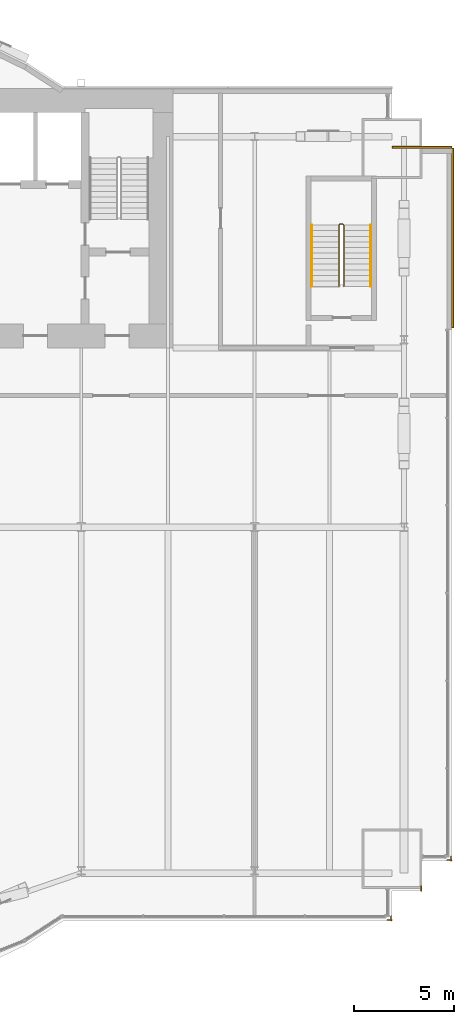
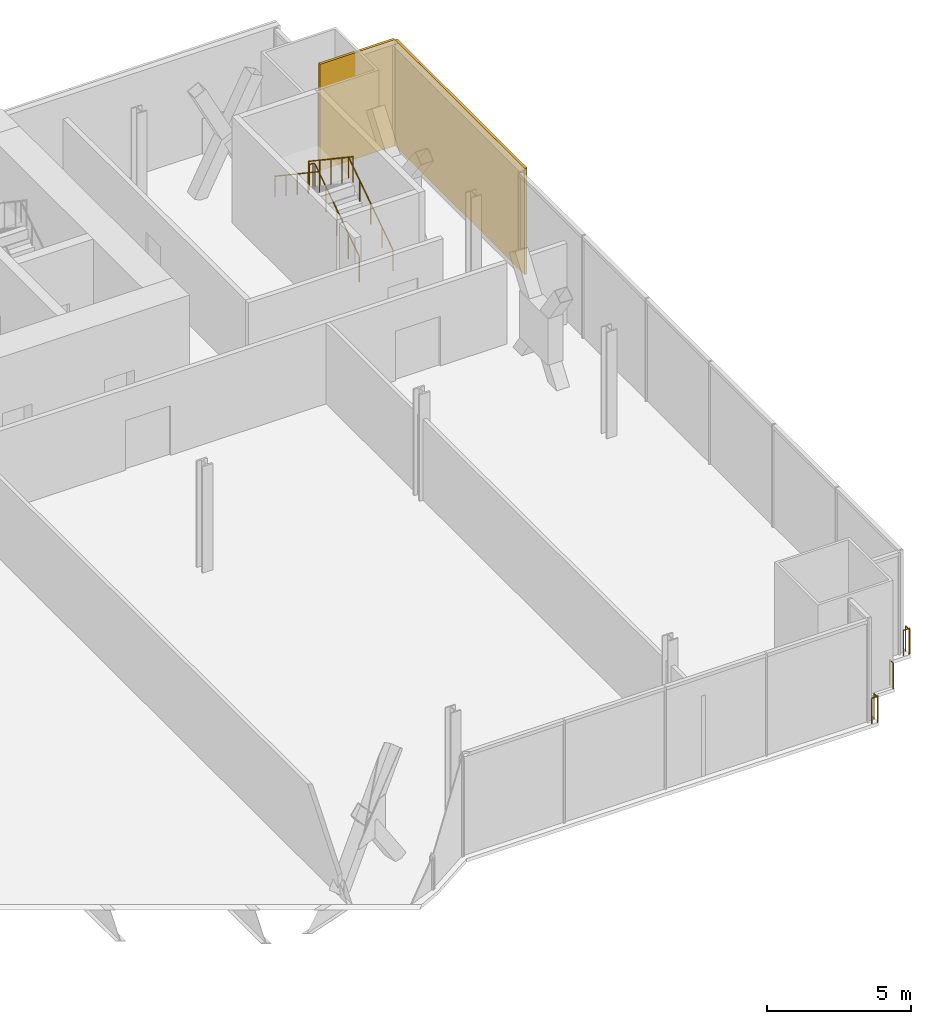
# One storey, part 21 of 22: 6 railings, 2 coverings.
"""IFC4 building model written with IfcOpenShell, lengths in metres."""

from ifc_helpers import new_model, si_unit, direction, frame, origin, origin_2d, place, context, subcontext, project, spatial, rectangle, circle, extrude, material, layer, layer_set, type_object, element, save


model = new_model("IFC4")

# Units and contexts
model_context = context("Model", 3, precision=1e-05, world=origin(), true_north=direction((0.0, 1.0)))
body_context = subcontext(model_context, "Body", "Model", "MODEL_VIEW")
ifc_project = project(units=[si_unit("LENGTHUNIT", "METRE"), si_unit("AREAUNIT", "SQUARE_METRE"), si_unit("VOLUMEUNIT", "CUBIC_METRE"), si_unit("PLANEANGLEUNIT", "RADIAN"), si_unit("MASSUNIT", "GRAM", prefix="KILO")], contexts=[model_context])

# Site, building, storey
site_placement = place(None, origin())
site = spatial("IfcSite", under=ifc_project, at=site_placement, CompositionType="ELEMENT")
building_placement = place(site_placement, origin())
building = spatial("IfcBuilding", under=site, at=building_placement, Name="Bicima Exchange Tower", CompositionType="ELEMENT")
storey_placement = place(building_placement, frame((0.0, 0.0, 39.5)))
storey = spatial("IfcBuildingStorey", under=building, at=storey_placement, Name="L07", CompositionType="ELEMENT", Elevation=39.5)

# Coverings
ifc_material_1 = material(Name="Bronze metal cladding")
ifc_layer_1 = layer(ifc_material_1, 0.004)
ifc_material_2 = material(Name="Ventilated cavity")
ifc_layer_2 = layer(ifc_material_2, 0.06)
ifc_material_3 = material(Name="Galvanised steel rail and mineral wool", Category="steel")
ifc_layer_3 = layer(ifc_material_3, 0.036)
ifc_layer_set = layer_set([ifc_layer_1, ifc_layer_2, ifc_layer_3], Name="Ventilated cavity")
covering_type = type_object("IfcCoveringType", Name="Bronze metal cladding panel 100", PredefinedType="CLADDING", material=ifc_layer_set)
covering_1_placement = place(storey_placement, frame((36.050048828125, -7.5, -0.14990234375), z_axis=(0.0, 0.0, 1.0), x_axis=(0.0, 1.0, 0.0)))
element("IfcCovering", 1, at=covering_1_placement, inside=storey, type_object=covering_type, Name="Bronze cladding L07 50.1", PredefinedType="CLADDING", context=body_context, shape_type="SweptSolid", body=[
    extrude(rectangle(XDim=9.0, YDim=0.10009765625, at=origin_2d()), origin(), (0.0, 0.0, 1.0), 4.5),
])
covering_2_placement = place(storey_placement, frame((34.5, -2.949951171875, -0.14990234375), z_axis=(0.0, 0.0, 1.0), x_axis=(-1.0, 0.0, 0.0)))
element("IfcCovering", 2, at=covering_2_placement, inside=storey, type_object=covering_type, Name="Bronze cladding L07 51.1", PredefinedType="CLADDING", context=body_context, shape_type="SweptSolid", body=[
    extrude(rectangle(XDim=3.0, YDim=0.10009765625, at=origin_2d()), origin(), (0.0, 0.0, 1.0), 4.5),
])

# Railings
ifc_material_4 = material(Name="Stainless steel and bonded safety glass", Category="steel")
railing_type_1 = type_object("IfcRailingType", Name="Edge guard 1100", PredefinedType="GUARDRAIL", material=ifc_material_4)
railing_1_placement = place(storey_placement, frame((35.949951171875, -38.508056640625, 0.0)))
element("IfcRailing", 3, at=railing_1_placement, inside=storey, type_object=railing_type_1, Name="Edge guard L07 22", PredefinedType="GUARDRAIL", context=body_context, shape_type="SweptSolid", body=[
    extrude(circle(Radius=0.02392578125, at=origin_2d()), frame((0.0, 0.0, 1.076171875), z_axis=(0.0, -1.0, 0.0), x_axis=(1.0, 0.0, 0.0)), (0.0, 0.0, 1.0), 0.248046875),
    extrude(circle(Radius=0.02392578125, at=origin_2d()), frame((0.0, -0.248046875, 1.076171875), z_axis=(0.707106781187, 0.707106781187, 0.0), x_axis=(-0.707106781187, 0.707106781187, 0.0)), (0.0, 0.0, 1.0), 0.07080078125),
    extrude(circle(Radius=0.02392578125, at=origin_2d()), frame((0.050048828125, -0.197998046875, 1.076171875), z_axis=(-1.0, 0.0, 0.0), x_axis=(0.0, -1.0, 0.0)), (0.0, 0.0, 1.0), 0.25),
    extrude(circle(Radius=0.02099609375, at=origin_2d()), origin(), (0.0, 0.0, 1.0), 1.052001953125),
    extrude(circle(Radius=0.02099609375, at=origin_2d()), frame((0.0, -0.248046875, 0.0)), (0.0, 0.0, 1.0), 1.052001953125),
    extrude(circle(Radius=0.02099609375, at=origin_2d()), frame((0.050048828125, -0.197998046875, 0.0)), (0.0, 0.0, 1.0), 1.052001953125),
    extrude(circle(Radius=0.02099609375, at=origin_2d()), frame((-0.199951171875, -0.197998046875, 0.0)), (0.0, 0.0, 1.0), 1.052001953125),
])
railing_2_placement = place(storey_placement, frame((34.449951171875, -40.006103515625, 0.0)))
element("IfcRailing", 4, at=railing_2_placement, inside=storey, type_object=railing_type_1, Name="Edge guard L07 23", PredefinedType="GUARDRAIL", context=body_context, shape_type="SweptSolid", body=[
    extrude(circle(Radius=0.02392578125, at=origin_2d()), frame((0.0, 0.0, 1.076171875), z_axis=(0.0, -1.0, 0.0), x_axis=(1.0, 0.0, 0.0)), (0.0, 0.0, 1.0), 0.25),
    extrude(circle(Radius=0.02099609375, at=origin_2d()), origin(), (0.0, 0.0, 1.0), 1.052001953125),
    extrude(circle(Radius=0.02099609375, at=origin_2d()), frame((0.0, -0.25, 0.0)), (0.0, 0.0, 1.0), 1.052001953125),
])
railing_3_placement = place(storey_placement, frame((32.949951171875, -41.506103515625, 0.0)))
element("IfcRailing", 5, at=railing_3_placement, inside=storey, type_object=railing_type_1, Name="Edge guard L07 24", PredefinedType="GUARDRAIL", context=body_context, shape_type="SweptSolid", body=[
    extrude(circle(Radius=0.02392578125, at=origin_2d()), frame((0.0, 0.0, 1.076171875), z_axis=(0.0, -1.0, 0.0), x_axis=(1.0, 0.0, 0.0)), (0.0, 0.0, 1.0), 0.25),
    extrude(circle(Radius=0.02392578125, at=origin_2d()), frame((0.0, -0.25, 1.076171875), z_axis=(0.707106781187, 0.707106781187, 0.0), x_axis=(-0.707106781187, 0.707106781187, 0.0)), (0.0, 0.0, 1.0), 0.07080078125),
    extrude(circle(Radius=0.02392578125, at=origin_2d()), frame((0.050048828125, -0.199951171875, 1.076171875), z_axis=(-1.0, 0.0, 0.0), x_axis=(0.0, -1.0, 0.0)), (0.0, 0.0, 1.0), 0.25),
    extrude(circle(Radius=0.02099609375, at=origin_2d()), origin(), (0.0, 0.0, 1.0), 1.052001953125),
    extrude(circle(Radius=0.02099609375, at=origin_2d()), frame((0.0, -0.25, 0.0)), (0.0, 0.0, 1.0), 1.052001953125),
    extrude(circle(Radius=0.02099609375, at=origin_2d()), frame((0.050048828125, -0.199951171875, 0.0)), (0.0, 0.0, 1.0), 1.052001953125),
    extrude(circle(Radius=0.02099609375, at=origin_2d()), frame((-0.199951171875, -0.199951171875, 0.0)), (0.0, 0.0, 1.0), 1.052001953125),
])
ifc_material_5 = material(Name="Stainless steel", Category="steel")
railing_type_2 = type_object("IfcRailingType", Name="Stair guard 1100", PredefinedType="GUARDRAIL", material=ifc_material_5)
railing_4_placement = place(storey_placement, frame((30.574951171875, -9.925048828125, 0.1875)))
element("IfcRailing", 6, at=railing_4_placement, inside=storey, type_object=railing_type_2, Name="L07 ST-EE stair guard 1", PredefinedType="GUARDRAIL", context=body_context, shape_type="SweptSolid", body=[
    extrude(circle(Radius=0.02392578125, at=origin_2d()), frame((0.0, 0.0, 1.076171875), z_axis=(0.0, 0.830913701846, 0.55640131208), x_axis=(-1.0, 0.0, 0.0)), (0.0, 0.0, 1.0), 3.706787109375),
    extrude(circle(Radius=0.02392578125, at=origin_2d()), frame((0.0, 3.080078125, 3.138671875), z_axis=(-0.707106781187, 0.707106781187, 0.0), x_axis=(-0.707106781187, -0.707106781187, 0.0)), (0.0, 0.0, 1.0), 0.07080078125),
    extrude(circle(Radius=0.02392578125, at=origin_2d()), frame((-0.050048828125, 3.130126953125, 3.138671875), z_axis=(-1.0, 0.0, 0.0), x_axis=(0.0, -1.0, 0.0)), (0.0, 0.0, 1.0), 0.14990234375),
    extrude(circle(Radius=0.02392578125, at=origin_2d()), frame((-0.199951171875, 3.130126953125, 3.138671875), z_axis=(-0.249726431254, -0.249726431254, 0.935560483917), x_axis=(0.707106781187, -0.707106781187, 0.0)), (0.0, 0.0, 1.0), 0.200439453125),
    extrude(circle(Radius=0.02392578125, at=origin_2d()), frame((-0.25, 3.080078125, 3.326171875), z_axis=(0.0, -0.830913701846, 0.55640131208), x_axis=(1.0, 0.0, 0.0)), (0.0, 0.0, 1.0), 3.706787109375),
    extrude(circle(Radius=0.02099609375, at=origin_2d()), origin(), (0.0, 0.0, 1.0), 1.052001953125),
    extrude(circle(Radius=0.02099609375, at=origin_2d()), frame((0.0, 0.77001953125, 0.515625)), (0.0, 0.0, 1.0), 1.052001953125),
    extrude(circle(Radius=0.02099609375, at=origin_2d()), frame((0.0, 1.5400390625, 1.03125)), (0.0, 0.0, 1.0), 1.052001953125),
    extrude(circle(Radius=0.02099609375, at=origin_2d()), frame((0.0, 2.31005859375, 1.546875)), (0.0, 0.0, 1.0), 1.052001953125),
    extrude(circle(Radius=0.02099609375, at=origin_2d()), frame((0.0, 3.080078125, 2.0625)), (0.0, 0.0, 1.0), 1.052001953125),
    extrude(circle(Radius=0.02099609375, at=origin_2d()), frame((-0.050048828125, 3.130126953125, 2.0625)), (0.0, 0.0, 1.0), 1.052001953125),
    extrude(circle(Radius=0.02099609375, at=origin_2d()), frame((-0.199951171875, 3.130126953125, 2.0625)), (0.0, 0.0, 1.0), 1.052001953125),
    extrude(circle(Radius=0.02099609375, at=origin_2d()), frame((-0.25, 3.080078125, 2.25)), (0.0, 0.0, 1.0), 1.052001953125),
    extrude(circle(Radius=0.02099609375, at=origin_2d()), frame((-0.25, 2.31005859375, 2.765625)), (0.0, 0.0, 1.0), 1.052001953125),
    extrude(circle(Radius=0.02099609375, at=origin_2d()), frame((-0.25, 1.5400390625, 3.28125)), (0.0, 0.0, 1.0), 1.052001953125),
    extrude(circle(Radius=0.02099609375, at=origin_2d()), frame((-0.25, 0.77001953125, 3.796875)), (0.0, 0.0, 1.0), 1.052001953125),
    extrude(circle(Radius=0.02099609375, at=origin_2d()), frame((-0.25, 0.0, 4.3125)), (0.0, 0.0, 1.0), 1.052001953125),
])
railing_type_3 = type_object("IfcRailingType", Name="Stair handrail 900", PredefinedType="HANDRAIL", material=ifc_material_5)
railing_5_placement = place(storey_placement, frame((31.925048828125, -9.925048828125, 0.1875)))
element("IfcRailing", 7, at=railing_5_placement, inside=storey, type_object=railing_type_3, Name="L07 ST-EE stair handrail 1", PredefinedType="HANDRAIL", context=body_context, shape_type="SweptSolid", body=[
    extrude(circle(Radius=0.02392578125, at=origin_2d()), frame((0.0, 0.0, 0.8759765625), z_axis=(0.0, 0.830913701846, 0.55640131208), x_axis=(-1.0, 0.0, 0.0)), (0.0, 0.0, 1.0), 3.706787109375),
    extrude(circle(Radius=0.02099609375, at=origin_2d()), origin(), (0.0, 0.0, 1.0), 0.851806640625),
    extrude(circle(Radius=0.02099609375, at=origin_2d()), frame((0.0, 0.77001953125, 0.515625)), (0.0, 0.0, 1.0), 0.851806640625),
    extrude(circle(Radius=0.02099609375, at=origin_2d()), frame((0.0, 1.5400390625, 1.03125)), (0.0, 0.0, 1.0), 0.851806640625),
    extrude(circle(Radius=0.02099609375, at=origin_2d()), frame((0.0, 2.31005859375, 1.546875)), (0.0, 0.0, 1.0), 0.851806640625),
    extrude(circle(Radius=0.02099609375, at=origin_2d()), frame((0.0, 3.080078125, 2.0625)), (0.0, 0.0, 1.0), 0.851806640625),
])
railing_6_placement = place(storey_placement, frame((28.97509765625, -6.844970703125, 2.47900390625)))
element("IfcRailing", 8, at=railing_6_placement, inside=storey, type_object=railing_type_3, Name="L07 ST-EE stair handrail 2", PredefinedType="HANDRAIL", context=body_context, shape_type="SweptSolid", body=[
    extrude(circle(Radius=0.02392578125, at=origin_2d()), frame((0.0, 0.0, 0.8759765625), z_axis=(0.0, -0.830913701846, 0.55640131208), x_axis=(1.0, 0.0, 0.0)), (0.0, 0.0, 1.0), 3.706787109375),
    extrude(circle(Radius=0.02099609375, at=origin_2d()), origin(), (0.0, 0.0, 1.0), 0.851806640625),
    extrude(circle(Radius=0.02099609375, at=origin_2d()), frame((0.0, -0.77001953125, 0.515625)), (0.0, 0.0, 1.0), 0.851806640625),
    extrude(circle(Radius=0.02099609375, at=origin_2d()), frame((0.0, -1.5400390625, 1.03125)), (0.0, 0.0, 1.0), 0.851806640625),
    extrude(circle(Radius=0.02099609375, at=origin_2d()), frame((0.0, -2.31005859375, 1.546875)), (0.0, 0.0, 1.0), 0.851806640625),
    extrude(circle(Radius=0.02099609375, at=origin_2d()), frame((0.0, -3.080078125, 2.0625)), (0.0, 0.0, 1.0), 0.851806640625),
])

save(model, "model.ifc")
